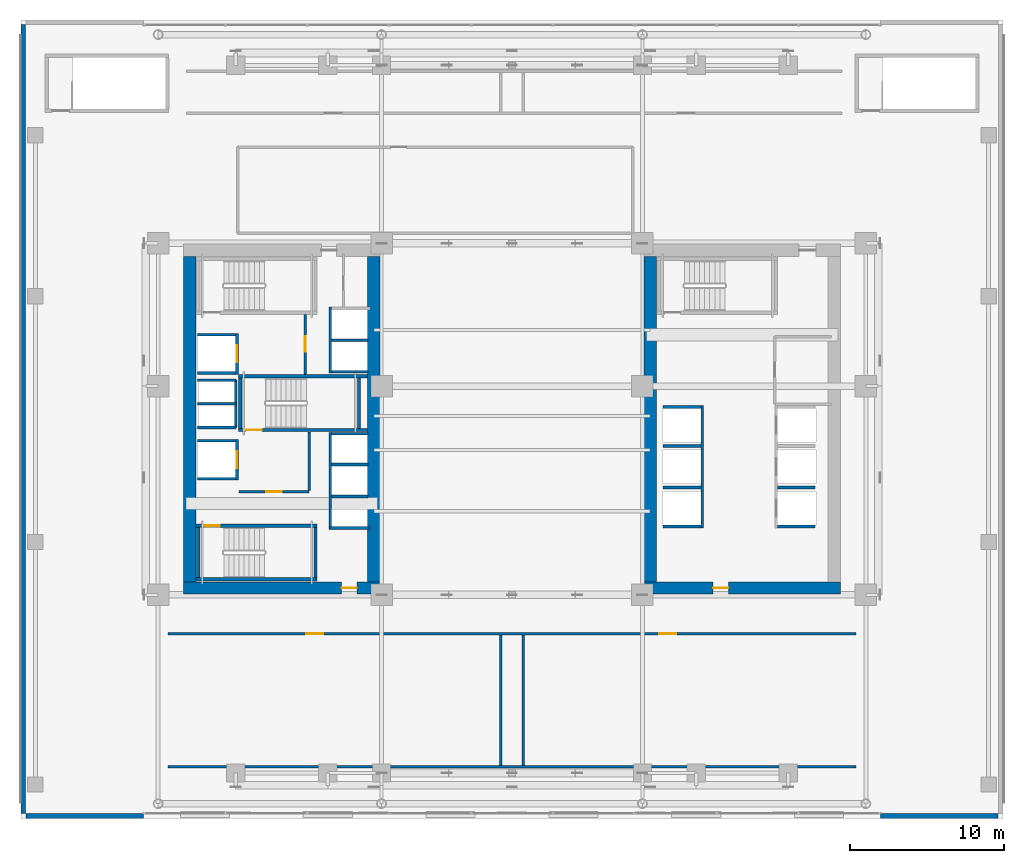
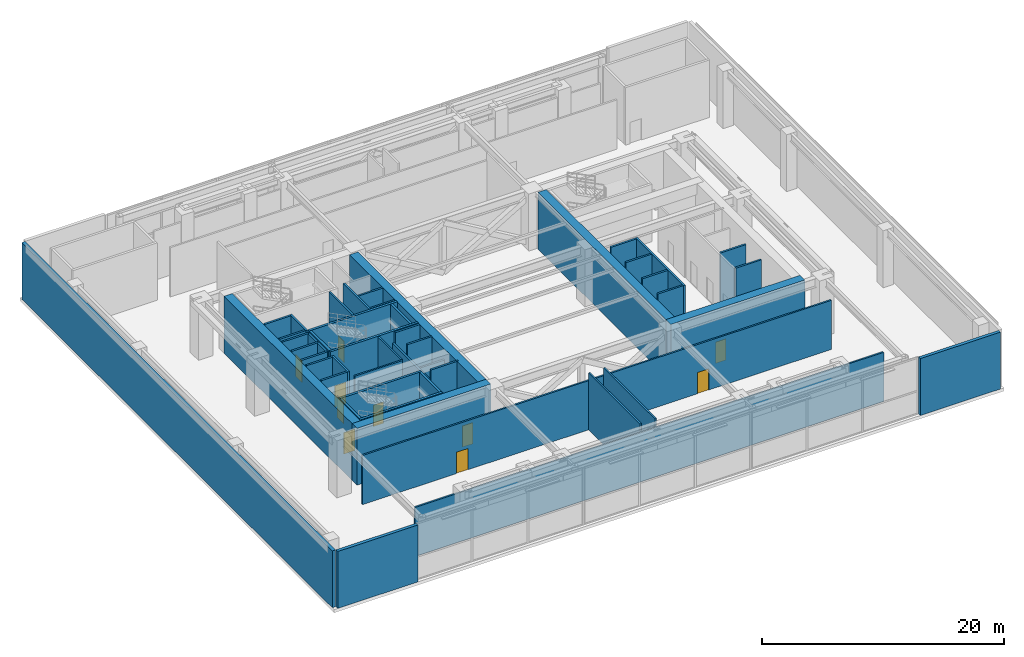
# One storey, part 21 of 29: 48 walls, 10 doors, 10 openings.
"""IFC4 building model written with IfcOpenShell, lengths in metres."""

from ifc_helpers import new_model, si_unit, direction, frame, frame_2d, origin, place, context, subcontext, project, spatial, rectangle, extrude, source, transform, mapped, material, layer, layer_set, type_object, element, fill, save


model = new_model("IFC4")

# Units and contexts
model_context = context("Model", 3, precision=1e-05, world=origin(), true_north=direction((0.0, 1.0)))
body_context = subcontext(model_context, "Body", "Model", "MODEL_VIEW")
ifc_project = project(units=[si_unit("LENGTHUNIT", "METRE"), si_unit("AREAUNIT", "SQUARE_METRE"), si_unit("VOLUMEUNIT", "CUBIC_METRE"), si_unit("PLANEANGLEUNIT", "RADIAN"), si_unit("MASSUNIT", "GRAM", prefix="KILO")], contexts=[model_context])

# Site, building, storey
site_placement = place(None, origin())
site = spatial("IfcSite", under=ifc_project, at=site_placement, CompositionType="ELEMENT")
building_placement = place(site_placement, origin())
building = spatial("IfcBuilding", under=site, at=building_placement, Name="Ocotamira Hotel", CompositionType="ELEMENT")
storey_placement = place(building_placement, frame((0.0, 0.0, 28.800048828125)))
storey = spatial("IfcBuildingStorey", under=building, at=storey_placement, Name="L06", CompositionType="ELEMENT", Elevation=28.800048828125)

# Wall, opening, door
ifc_material_1 = material(Name="Concrete C60/75", Category="concrete")
ifc_layer_1 = layer(ifc_material_1, 0.800048828125)
ifc_layer_set_1 = layer_set([ifc_layer_1], Name="Concrete C60/75")
wall_type_1 = type_object("IfcWallType", Name="WL-CORE-800", PredefinedType="SHEAR", material=ifc_layer_set_1)
wall_1_placement = place(storey_placement, frame((10.60009765625, 15.0, 0.0), z_axis=(0.0, 0.0, 1.0), x_axis=(1.0, 0.0, 0.0)))
wall_1 = element("IfcWall", 1, at=wall_1_placement, inside=storey, type_object=wall_type_1, Name="L06 Shear Core Wall WCORE-S", PredefinedType="SHEAR", context=body_context, shape_type="SweptSolid", body=[
    extrude(rectangle(XDim=12.7998046875, YDim=0.800048828125, at=frame_2d((6.39990234375, 0.0))), origin(), (0.0, 0.0, 1.0), 5.75),
])
opening_1_placement = place(wall_1_placement, frame((10.300048828125, 0.0, 0.0)))
opening_1 = element("IfcOpeningElement", 2, at=opening_1_placement, cuts=wall_1, Name="Opening D-FR2", PredefinedType="OPENING", context=body_context, shape_type="SweptSolid", body=[
    extrude(rectangle(XDim=1.0, YDim=2.14990234375, at=frame_2d((0.5, 1.074951171875))), frame((0.0, 0.41015625, 0.0), z_axis=(0.0, -1.0, 0.0), x_axis=(1.0, 0.0, 0.0)), (0.0, 0.0, 1.0), 0.820068359375),
])
ifc_material_2 = material(Name="Fire-rated acoustic timber-veneer door", Category="wood")
door_type_1 = type_object("IfcDoorType", Name="DR-FIRE-1000", OperationType="NOTDEFINED", PredefinedType="DOOR", material=ifc_material_2)
shared_shape_1 = source(origin(), body_context, "Body", "SweptSolid", [
    extrude(rectangle(XDim=1.0, YDim=2.14990234375, at=frame_2d((0.5, 1.074951171875))), frame((0.0, 0.02490234375, 0.0), z_axis=(0.0, -1.0, 0.0), x_axis=(1.0, 0.0, 0.0)), (0.0, 0.0, 1.0), 0.050048828125),
])
door_1_placement = place(opening_1_placement, origin())
door_1 = element("IfcDoor", 3, at=door_1_placement, inside=storey, type_object=door_type_1, Name="L06 Door ID-L06-WLOB-S-D [ID-L06-WLOB-S-D]", OperationType="SINGLE_SWING_LEFT", OverallHeight=2.14990234375, OverallWidth=1.0, PredefinedType="DOOR", context=body_context, shape_type="MappedRepresentation", body=[
    mapped(shared_shape_1, transform((0.0, 0.0, 0.0), scale=1.0)),
])
fill(opening_1, door_1)

# Walls
for number, where, z_axis, x_axis, name in (
    (4, (11.0, 15.39990234375, 0.0), (0.0, 0.0, 1.0), (0.0, 1.0, 0.0), "L06 Shear Core Wall WCORE-W"),
    (5, (23.0, 15.39990234375, 0.0), (0.0, 0.0, 1.0), (0.0, 1.0, 0.0), "L06 Shear Core Wall WCORE-E"),
):
    element("IfcWall", number, at=place(storey_placement, frame(where, z_axis=z_axis, x_axis=x_axis)), inside=storey, type_object=wall_type_1, Name=name, PredefinedType="SHEAR", context=body_context, shape_type="SweptSolid", body=[
        extrude(rectangle(XDim=21.2001953125, YDim=0.800048828125, at=frame_2d((10.60009765625, 0.0))), origin(), (0.0, 0.0, 1.0), 5.75),
    ])

# Wall, opening, door
wall_2_placement = place(storey_placement, frame((40.60009765625, 15.0, 0.0), z_axis=(0.0, 0.0, 1.0), x_axis=(1.0, 0.0, 0.0)))
wall_2 = element("IfcWall", 6, at=wall_2_placement, inside=storey, type_object=wall_type_1, Name="L06 Shear Core Wall ECORE-S", PredefinedType="SHEAR", context=body_context, shape_type="SweptSolid", body=[
    extrude(rectangle(XDim=12.7998046875, YDim=0.800048828125, at=frame_2d((6.39990234375, 0.0))), origin(), (0.0, 0.0, 1.0), 5.75),
])
opening_2_placement = place(wall_2_placement, frame((4.5, 0.0, 0.0)))
opening_2 = element("IfcOpeningElement", 7, at=opening_2_placement, cuts=wall_2, Name="Opening D-FR2", PredefinedType="OPENING", context=body_context, shape_type="SweptSolid", body=[
    extrude(rectangle(XDim=1.0, YDim=2.14990234375, at=frame_2d((0.5, 1.074951171875))), frame((0.0, 0.41015625, 0.0), z_axis=(0.0, -1.0, 0.0), x_axis=(1.0, 0.0, 0.0)), (0.0, 0.0, 1.0), 0.820068359375),
])
door_2_placement = place(opening_2_placement, origin())
door_2 = element("IfcDoor", 8, at=door_2_placement, inside=storey, type_object=door_type_1, Name="L06 Door ID-L06-ELOB-S-D [ID-L06-ELOB-S-D]", OperationType="SINGLE_SWING_RIGHT", OverallHeight=2.14990234375, OverallWidth=1.0, PredefinedType="DOOR", context=body_context, shape_type="MappedRepresentation", body=[
    mapped(shared_shape_1, transform((0.0, 0.0, 0.0), scale=1.0)),
])
fill(opening_2, door_2)

# Walls
wall_3_placement = place(storey_placement, frame((41.0, 15.39990234375, 0.0), z_axis=(0.0, 0.0, 1.0), x_axis=(0.0, 1.0, 0.0)))
element("IfcWall", 9, at=wall_3_placement, inside=storey, type_object=wall_type_1, Name="L06 Shear Core Wall ECORE-W", PredefinedType="SHEAR", context=body_context, shape_type="SweptSolid", body=[
    extrude(rectangle(XDim=21.2001953125, YDim=0.800048828125, at=frame_2d((10.60009765625, 0.0))), origin(), (0.0, 0.0, 1.0), 5.75),
])
ifc_material_3 = material(Name="Travertine-clad precast concrete C45/55", Category="masonry")
ifc_layer_2 = layer(ifc_material_3, 0.300048828125)
ifc_layer_set_2 = layer_set([ifc_layer_2], Name="Travertine-clad precast concrete C45/55")
wall_type_2 = type_object("IfcWallType", Name="WL-EXT-POD-300", PredefinedType="SOLIDWALL", material=ifc_layer_set_2)
wall_4_placement = place(storey_placement, frame((0.14990234375, 0.300048828125, 0.0), z_axis=(0.0, 0.0, 1.0), x_axis=(0.0, 1.0, 0.0)))
element("IfcWall", 10, at=wall_4_placement, inside=storey, type_object=wall_type_2, Name="L06 West Podium Travertine Wall", PredefinedType="SOLIDWALL", context=body_context, shape_type="SweptSolid", body=[
    extrude(rectangle(XDim=51.39990234375, YDim=0.300048828125, at=frame_2d((25.699951171875, 0.0))), origin(), (0.0, 0.0, 1.0), 5.75),
])
for number, where, z_axis, x_axis, name in (
    (11, (0.35009765625, 0.14990234375, 0.0), (0.0, 0.0, 1.0), (1.0, 0.0, 0.0), "L06 Podium Perimeter Wall S1"),
    (12, (56.0, 0.14990234375, 0.0), (0.0, 0.0, 1.0), (1.0, 0.0, 0.0), "L06 Podium Perimeter Wall S2"),
):
    element("IfcWall", number, at=place(storey_placement, frame(where, z_axis=z_axis, x_axis=x_axis)), inside=storey, type_object=wall_type_2, Name=name, PredefinedType="SOLIDWALL", context=body_context, shape_type="SweptSolid", body=[
        extrude(rectangle(XDim=7.64990234375, YDim=0.300048828125, at=frame_2d((3.824951171875, 0.0))), origin(), (0.0, 0.0, 1.0), 5.75),
    ])

# Wall, opening, door
ifc_material_4 = material(Name="Acoustic double-layer fire gypsum board partition", Category="gypsum")
ifc_layer_3 = layer(ifc_material_4, 0.159912109375)
ifc_layer_set_3 = layer_set([ifc_layer_3], Name="Acoustic double-layer fire gypsum board partition")
wall_type_3 = type_object("IfcWallType", Name="WL-FIRE-160", PredefinedType="PARTITIONING", material=ifc_layer_set_3)
wall_5_placement = place(storey_placement, frame((14.199951171875, 21.27001953125, 0.0), z_axis=(0.0, 0.0, 1.0), x_axis=(1.0, 0.0, 0.0)))
wall_5 = element("IfcWall", 13, at=wall_5_placement, inside=storey, type_object=wall_type_3, Name="L06 Interior Wall PW-L06-FSAE1-S", PredefinedType="PARTITIONING", context=body_context, shape_type="SweptSolid", body=[
    extrude(rectangle(XDim=4.580078125, YDim=0.159912109375, at=frame_2d((2.2900390625, 0.0))), origin(), (0.0, 0.0, 1.0), 5.75),
])
opening_3_placement = place(wall_5_placement, frame((1.800048828125, 0.0, 0.0)))
opening_3 = element("IfcOpeningElement", 14, at=opening_3_placement, cuts=wall_5, Name="Opening D-FR2", PredefinedType="OPENING", context=body_context, shape_type="SweptSolid", body=[
    extrude(rectangle(XDim=1.0, YDim=2.14990234375, at=frame_2d((0.5, 1.074951171875))), frame((0.0, 0.08984375, 0.0), z_axis=(0.0, -1.0, 0.0), x_axis=(1.0, 0.0, 0.0)), (0.0, 0.0, 1.0), 0.179931640625),
])
door_3_placement = place(opening_3_placement, origin())
door_3 = element("IfcDoor", 15, at=door_3_placement, inside=storey, type_object=door_type_1, Name="L06 Door ID-L06-FSAE1-D [ID-L06-FSAE1-D]", OperationType="SINGLE_SWING_LEFT", OverallHeight=2.14990234375, OverallWidth=1.0, PredefinedType="DOOR", context=body_context, shape_type="MappedRepresentation", body=[
    mapped(shared_shape_1, transform((0.0, 0.0, 0.0), scale=1.0)),
])
fill(opening_3, door_3)

# Wall
wall_6_placement = place(storey_placement, frame((18.780029296875, 21.35009765625, 0.0), z_axis=(0.0, 0.0, 1.0), x_axis=(0.0, 1.0, 0.0)))
element("IfcWall", 16, at=wall_6_placement, inside=storey, type_object=wall_type_3, Name="L06 Interior Wall PW-L06-FSAE1-E", PredefinedType="PARTITIONING", context=body_context, shape_type="SweptSolid", body=[
    extrude(rectangle(XDim=3.809814453125, YDim=0.159912109375, at=frame_2d((1.90478515625, 0.0))), origin(), (0.0, 0.0, 1.0), 5.75),
])

# Wall, opening, door
wall_7_placement = place(storey_placement, frame((18.530029296875, 28.89990234375, 0.0), z_axis=(0.0, 0.0, 1.0), x_axis=(0.0, 1.0, 0.0)))
wall_7 = element("IfcWall", 17, at=wall_7_placement, inside=storey, type_object=wall_type_3, Name="L06 Interior Wall PW-L06-FSAE2-E", PredefinedType="PARTITIONING", context=body_context, shape_type="SweptSolid", body=[
    extrude(rectangle(XDim=3.900146484375, YDim=0.159912109375, at=frame_2d((1.9501953125, 0.0))), origin(), (0.0, 0.0, 1.0), 5.75),
])
opening_4_placement = place(wall_7_placement, frame((1.5, 0.0, 0.0)))
opening_4 = element("IfcOpeningElement", 18, at=opening_4_placement, cuts=wall_7, Name="Opening D-FR2", PredefinedType="OPENING", context=body_context, shape_type="SweptSolid", body=[
    extrude(rectangle(XDim=1.0, YDim=2.14990234375, at=frame_2d((0.5, 1.074951171875))), frame((0.0, 0.08984375, 0.0), z_axis=(0.0, -1.0, 0.0), x_axis=(1.0, 0.0, 0.0)), (0.0, 0.0, 1.0), 0.179931640625),
])
door_4_placement = place(opening_4_placement, origin())
door_4 = element("IfcDoor", 19, at=door_4_placement, inside=storey, type_object=door_type_1, Name="L06 Door ID-L06-FSAE2-D [ID-L06-FSAE2-D]", OperationType="SINGLE_SWING_RIGHT", OverallHeight=2.14990234375, OverallWidth=1.0, PredefinedType="DOOR", context=body_context, shape_type="MappedRepresentation", body=[
    mapped(shared_shape_1, transform((0.0, 0.0, 0.0), scale=1.0)),
])
fill(opening_4, door_4)

# Walls
wall_8_placement = place(storey_placement, frame((9.60009765625, 3.35009765625, 0.0), z_axis=(0.0, 0.0, 1.0), x_axis=(1.0, 0.0, 0.0)))
element("IfcWall", 20, at=wall_8_placement, inside=storey, type_object=wall_type_3, Name="L06 Interior Wall PW-L06-L06-STRS-WALL", PredefinedType="PARTITIONING", context=body_context, shape_type="SweptSolid", body=[
    extrude(rectangle(XDim=44.7998046875, YDim=0.159912109375, at=frame_2d((22.39990234375, 0.0))), origin(), (0.0, 0.0, 1.0), 4.970947265625),
])
for number, where, z_axis, x_axis, name in (
    (21, (31.280029296875, 3.449951171875, 0.0), (0.0, 0.0, 1.0), (0.0, 1.0, 0.0), "L06 Interior Wall PW-L06-L06-SDIV1"),
    (22, (32.719970703125, 3.449951171875, 0.0), (0.0, 0.0, 1.0), (0.0, 1.0, 0.0), "L06 Interior Wall PW-L06-L06-SDIV2"),
):
    element("IfcWall", number, at=place(storey_placement, frame(where, z_axis=z_axis, x_axis=x_axis)), inside=storey, type_object=wall_type_3, Name=name, PredefinedType="PARTITIONING", context=body_context, shape_type="SweptSolid", body=[
        extrude(rectangle(XDim=8.5, YDim=0.159912109375, at=frame_2d((4.25, 0.0))), origin(), (0.0, 0.0, 1.0), 5.75),
    ])

# Wall, openings, doors
wall_9_placement = place(storey_placement, frame((9.60009765625, 12.02001953125, 0.0), z_axis=(0.0, 0.0, 1.0), x_axis=(1.0, 0.0, 0.0)))
wall_9 = element("IfcWall", 23, at=wall_9_placement, inside=storey, type_object=wall_type_3, Name="L06 Interior Wall PW-L06-L06-SWALL", PredefinedType="PARTITIONING", context=body_context, shape_type="SweptSolid", body=[
    extrude(rectangle(XDim=44.7998046875, YDim=0.159912109375, at=frame_2d((22.39990234375, 0.0))), origin(), (0.0, 0.0, 1.0), 4.970947265625),
])
opening_5_placement = place(wall_9_placement, frame((9.0, 0.0, 0.0)))
opening_5 = element("IfcOpeningElement", 24, at=opening_5_placement, cuts=wall_9, Name="Opening D-FR1", PredefinedType="OPENING", context=body_context, shape_type="SweptSolid", body=[
    extrude(rectangle(XDim=1.10009765625, YDim=2.14990234375, at=frame_2d((0.550048828125, 1.074951171875))), frame((0.0, 0.08984375, 0.0), z_axis=(0.0, -1.0, 0.0), x_axis=(1.0, 0.0, 0.0)), (0.0, 0.0, 1.0), 0.179931640625),
])
opening_6_placement = place(wall_9_placement, frame((32.0, 0.0, 0.0)))
opening_6 = element("IfcOpeningElement", 25, at=opening_6_placement, cuts=wall_9, Name="Opening D-FR1", PredefinedType="OPENING", context=body_context, shape_type="SweptSolid", body=[
    extrude(rectangle(XDim=1.10009765625, YDim=2.14990234375, at=frame_2d((0.550048828125, 1.074951171875))), frame((0.0, 0.08984375, 0.0), z_axis=(0.0, -1.0, 0.0), x_axis=(1.0, 0.0, 0.0)), (0.0, 0.0, 1.0), 0.179931640625),
])
door_type_2 = type_object("IfcDoorType", Name="DR-FIRE-1100", OperationType="NOTDEFINED", PredefinedType="DOOR", material=ifc_material_2)
shared_shape_2 = source(origin(), body_context, "Body", "SweptSolid", [
    extrude(rectangle(XDim=1.10009765625, YDim=2.14990234375, at=frame_2d((0.550048828125, 1.074951171875))), frame((0.0, 0.02490234375, 0.0), z_axis=(0.0, -1.0, 0.0), x_axis=(1.0, 0.0, 0.0)), (0.0, 0.0, 1.0), 0.050048828125),
])
door_5_placement = place(opening_5_placement, origin())
door_5 = element("IfcDoor", 26, at=door_5_placement, inside=storey, type_object=door_type_2, Name="L06 Door ID-L06-L06-CHD [ID-L06-L06-CHD]", OperationType="SINGLE_SWING_LEFT", OverallHeight=2.14990234375, OverallWidth=1.10009765625, PredefinedType="DOOR", context=body_context, shape_type="MappedRepresentation", body=[
    mapped(shared_shape_2, transform((0.0, 0.0, 0.0), scale=1.0)),
])
fill(opening_5, door_5)
door_6_placement = place(opening_6_placement, origin())
door_6 = element("IfcDoor", 27, at=door_6_placement, inside=storey, type_object=door_type_2, Name="L06 Door ID-L06-L06-AHUD [ID-L06-L06-AHUD]", OperationType="SINGLE_SWING_RIGHT", OverallHeight=2.14990234375, OverallWidth=1.10009765625, PredefinedType="DOOR", context=body_context, shape_type="MappedRepresentation", body=[
    mapped(shared_shape_2, transform((0.0, 0.0, 0.0), scale=1.0)),
])
fill(opening_6, door_6)

# Walls
ifc_material_5 = material(Name="Fire-rated gypsum shaftliner board assembly", Category="gypsum")
ifc_layer_4 = layer(ifc_material_5, 0.179931640625)
ifc_layer_set_4 = layer_set([ifc_layer_4], Name="Fire-rated gypsum shaftliner board assembly")
wall_type_4 = type_object("IfcWallType", Name="WL-SHAFT-180", PredefinedType="SOLIDWALL", material=ifc_layer_set_4)
for number, where, z_axis, x_axis, name in (
    (28, (49.300048828125, 19.010009765625, 0.0), (0.0, 0.0, 1.0), (1.0, 0.0, 0.0), "L06 Interior Wall PW-L06-LFW-BANK-low-S"),
    (29, (49.300048828125, 21.550048828125, 0.0), (0.0, 0.0, 1.0), (1.0, 0.0, 0.0), "L06 Interior Wall PW-L06-LFW-DIV-LF-P1"),
):
    element("IfcWall", number, at=place(storey_placement, frame(where, z_axis=z_axis, x_axis=x_axis)), inside=storey, type_object=wall_type_4, Name=name, PredefinedType="SOLIDWALL", context=body_context, shape_type="SweptSolid", body=[
        extrude(rectangle(XDim=2.449951171875, YDim=0.179931640625, at=frame_2d((1.22509765625, 0.0))), origin(), (0.0, 0.0, 1.0), 5.75),
    ])
wall_10_placement = place(storey_placement, frame((44.389892578125, 18.919921875, 0.0), z_axis=(0.0, 0.0, 1.0), x_axis=(0.0, 1.0, 0.0)))
element("IfcWall", 30, at=wall_10_placement, inside=storey, type_object=wall_type_4, Name="L06 Interior Wall PW-L06-LFW-BANK-mid-F", PredefinedType="SOLIDWALL", context=body_context, shape_type="SweptSolid", body=[
    extrude(rectangle(XDim=7.9599609375, YDim=0.179931640625, at=frame_2d((3.97998046875, 0.0))), origin(), (0.0, 0.0, 1.0), 5.75),
])
for number, where, z_axis, x_axis, name in (
    (31, (41.85009765625, 19.010009765625, 0.0), (0.0, 0.0, 1.0), (1.0, 0.0, 0.0), "L06 Interior Wall PW-L06-LFW-BANK-mid-S"),
    (32, (41.85009765625, 26.7900390625, 0.0), (0.0, 0.0, 1.0), (1.0, 0.0, 0.0), "L06 Interior Wall PW-L06-LFW-BANK-mid-N"),
    (33, (41.85009765625, 21.550048828125, 0.0), (0.0, 0.0, 1.0), (1.0, 0.0, 0.0), "L06 Interior Wall PW-L06-LFW-DIV-LF-P4"),
    (34, (41.85009765625, 24.25, 0.0), (0.0, 0.0, 1.0), (1.0, 0.0, 0.0), "L06 Interior Wall PW-L06-LFW-DIV-LF-P5"),
):
    element("IfcWall", number, at=place(storey_placement, frame(where, z_axis=z_axis, x_axis=x_axis)), inside=storey, type_object=wall_type_4, Name=name, PredefinedType="SOLIDWALL", context=body_context, shape_type="SweptSolid", body=[
        extrude(rectangle(XDim=2.449951171875, YDim=0.179931640625, at=frame_2d((1.22509765625, 0.0))), origin(), (0.0, 0.0, 1.0), 5.75),
    ])
wall_11_placement = place(storey_placement, frame((20.159912109375, 18.820068359375, 0.0), z_axis=(0.0, 0.0, 1.0), x_axis=(0.0, 1.0, 0.0)))
element("IfcWall", 35, at=wall_11_placement, inside=storey, type_object=wall_type_4, Name="L06 Interior Wall PW-L06-LFW-BANK-high-F", PredefinedType="SOLIDWALL", context=body_context, shape_type="SweptSolid", body=[
    extrude(rectangle(XDim=6.31982421875, YDim=0.179931640625, at=frame_2d((3.159912109375, 0.0))), origin(), (0.0, 0.0, 1.0), 4.64990234375),
])
wall_12_placement = place(storey_placement, frame((20.1201171875, 18.909912109375, 0.0), z_axis=(0.0, 0.0, 1.0), x_axis=(1.0, 0.0, 0.0)))
element("IfcWall", 36, at=wall_12_placement, inside=storey, type_object=wall_type_4, Name="L06 Interior Wall PW-L06-LFW-BANK-high-S", PredefinedType="SOLIDWALL", context=body_context, shape_type="SweptSolid", body=[
    extrude(rectangle(XDim=2.6298828125, YDim=0.179931640625, at=frame_2d((1.31494140625, 0.0))), origin(), (0.0, 0.0, 1.0), 5.75),
])
wall_13_placement = place(storey_placement, frame((20.25, 25.050048828125, 0.0), z_axis=(0.0, 0.0, 1.0), x_axis=(1.0, 0.0, 0.0)))
element("IfcWall", 37, at=wall_13_placement, inside=storey, type_object=wall_type_4, Name="L06 Interior Wall PW-L06-LFW-BANK-high-N", PredefinedType="SOLIDWALL", context=body_context, shape_type="SweptSolid", body=[
    extrude(rectangle(XDim=2.360107421875, YDim=0.179931640625, at=frame_2d((1.18017578125, 0.0))), origin(), (0.0, 0.0, 1.0), 5.75),
])
wall_14_placement = place(storey_placement, frame((20.25, 20.965087890625, 0.0), z_axis=(0.0, 0.0, 1.0), x_axis=(1.0, 0.0, 0.0)))
element("IfcWall", 38, at=wall_14_placement, inside=storey, type_object=wall_type_4, Name="L06 Interior Wall PW-L06-LFW-DIV-LF-P7", PredefinedType="SOLIDWALL", context=body_context, shape_type="SweptSolid", body=[
    extrude(rectangle(XDim=2.360107421875, YDim=0.179931640625, at=frame_2d((1.18017578125, 0.0))), origin(), (0.0, 0.0, 1.0), 4.64990234375),
])
wall_15_placement = place(storey_placement, frame((20.25, 23.044921875, 0.0), z_axis=(0.0, 0.0, 1.0), x_axis=(1.0, 0.0, 0.0)))
element("IfcWall", 39, at=wall_15_placement, inside=storey, type_object=wall_type_4, Name="L06 Interior Wall PW-L06-LFW-DIV-LF-P8", PredefinedType="SOLIDWALL", context=body_context, shape_type="SweptSolid", body=[
    extrude(rectangle(XDim=2.360107421875, YDim=0.179931640625, at=frame_2d((1.18017578125, 0.0))), origin(), (0.0, 0.0, 1.0), 5.75),
])
wall_16_placement = place(storey_placement, frame((20.159912109375, 29.0, 0.0), z_axis=(0.0, 0.0, 1.0), x_axis=(0.0, 1.0, 0.0)))
element("IfcWall", 40, at=wall_16_placement, inside=storey, type_object=wall_type_4, Name="L06 Interior Wall PW-L06-LFW-BANK-obs-F", PredefinedType="SOLIDWALL", context=body_context, shape_type="SweptSolid", body=[
    extrude(rectangle(XDim=4.2900390625, YDim=0.179931640625, at=frame_2d((2.14501953125, 0.0))), origin(), (0.0, 0.0, 1.0), 5.75),
])
for number, where, z_axis, x_axis, name in (
    (41, (20.25, 29.090087890625, 0.0), (0.0, 0.0, 1.0), (1.0, 0.0, 0.0), "L06 Interior Wall PW-L06-LFW-BANK-obs-S"),
    (42, (20.25, 31.14501953125, 0.0), (0.0, 0.0, 1.0), (1.0, 0.0, 0.0), "L06 Interior Wall PW-L06-LFW-DIV-LF-OBS1"),
):
    element("IfcWall", number, at=place(storey_placement, frame(where, z_axis=z_axis, x_axis=x_axis)), inside=storey, type_object=wall_type_4, Name=name, PredefinedType="SOLIDWALL", context=body_context, shape_type="SweptSolid", body=[
        extrude(rectangle(XDim=2.360107421875, YDim=0.179931640625, at=frame_2d((1.18017578125, 0.0))), origin(), (0.0, 0.0, 1.0), 5.75),
    ])
for number, where, z_axis, x_axis, name in (
    (43, (11.5, 22.110107421875, 0.0), (0.0, 0.0, 1.0), (1.0, 0.0, 0.0), "L06 Interior Wall PW-L06-LFW-LF-FSAE1-S"),
    (44, (11.5, 24.590087890625, 0.0), (0.0, 0.0, 1.0), (1.0, 0.0, 0.0), "L06 Interior Wall PW-L06-LFW-LF-FSAE1-N"),
):
    element("IfcWall", number, at=place(storey_placement, frame(where, z_axis=z_axis, x_axis=x_axis)), inside=storey, type_object=wall_type_4, Name=name, PredefinedType="SOLIDWALL", context=body_context, shape_type="SweptSolid", body=[
        extrude(rectangle(XDim=2.5, YDim=0.179931640625, at=frame_2d((1.25, 0.0))), origin(), (0.0, 0.0, 1.0), 5.75),
    ])

# Wall, opening, door
wall_17_placement = place(storey_placement, frame((14.090087890625, 22.02001953125, 0.0), z_axis=(0.0, 0.0, 1.0), x_axis=(0.0, 1.0, 0.0)))
wall_17 = element("IfcWall", 45, at=wall_17_placement, inside=storey, type_object=wall_type_4, Name="L06 Interior Wall PW-L06-LFW-LF-FSAE1-E", PredefinedType="SOLIDWALL", context=body_context, shape_type="SweptSolid", body=[
    extrude(rectangle(XDim=2.659912109375, YDim=0.179931640625, at=frame_2d((1.330078125, 0.0))), origin(), (0.0, 0.0, 1.0), 5.75),
])
opening_7_placement = place(wall_17_placement, frame((0.780029296875, 0.0, 0.0)))
opening_7 = element("IfcOpeningElement", 46, at=opening_7_placement, cuts=wall_17, Name="Opening LD-LF-FSAE1", PredefinedType="OPENING", context=body_context, shape_type="SweptSolid", body=[
    extrude(rectangle(XDim=1.10009765625, YDim=2.199951171875, at=frame_2d((0.550048828125, 1.10009765625))), frame((0.0, 0.10009765625, 0.0), z_axis=(0.0, -1.0, 0.0), x_axis=(1.0, 0.0, 0.0)), (0.0, 0.0, 1.0), 0.199951171875),
])
ifc_material_6 = material(Name="Brushed pale-metal stainless elevator landing door", Category="steel")
door_type_3 = type_object("IfcDoorType", Name="DR-LIFT-1100", OperationType="NOTDEFINED", PredefinedType="DOOR", material=ifc_material_6)
shared_shape_3 = source(origin(), body_context, "Body", "SweptSolid", [
    extrude(rectangle(XDim=1.10009765625, YDim=2.199951171875, at=frame_2d((0.550048828125, 1.10009765625))), frame((0.0, 0.02490234375, 0.0), z_axis=(0.0, -1.0, 0.0), x_axis=(1.0, 0.0, 0.0)), (0.0, 0.0, 1.0), 0.050048828125),
])
door_7_placement = place(opening_7_placement, origin())
door_7 = element("IfcDoor", 47, at=door_7_placement, inside=storey, type_object=door_type_3, Name="L06 Landing Door LD-LF-FSAE1 [ID-L06-LD-LF-FSAE1]", OperationType="DOUBLE_DOOR_SLIDING", OverallHeight=2.199951171875, OverallWidth=1.10009765625, PredefinedType="DOOR", context=body_context, shape_type="MappedRepresentation", body=[
    mapped(shared_shape_3, transform((0.0, 0.0, 0.0), scale=1.0)),
])
fill(opening_7, door_7)

# Walls
for number, where, z_axis, x_axis, name in (
    (48, (11.5, 29.010009765625, 0.0), (0.0, 0.0, 1.0), (1.0, 0.0, 0.0), "L06 Interior Wall PW-L06-LFW-LF-FSAE2-S"),
    (49, (11.5, 31.489990234375, 0.0), (0.0, 0.0, 1.0), (1.0, 0.0, 0.0), "L06 Interior Wall PW-L06-LFW-LF-FSAE2-N"),
):
    element("IfcWall", number, at=place(storey_placement, frame(where, z_axis=z_axis, x_axis=x_axis)), inside=storey, type_object=wall_type_4, Name=name, PredefinedType="SOLIDWALL", context=body_context, shape_type="SweptSolid", body=[
        extrude(rectangle(XDim=2.5, YDim=0.179931640625, at=frame_2d((1.25, 0.0))), origin(), (0.0, 0.0, 1.0), 5.75),
    ])

# Wall, opening, door
wall_18_placement = place(storey_placement, frame((14.090087890625, 28.919921875, 0.0), z_axis=(0.0, 0.0, 1.0), x_axis=(0.0, 1.0, 0.0)))
wall_18 = element("IfcWall", 50, at=wall_18_placement, inside=storey, type_object=wall_type_4, Name="L06 Interior Wall PW-L06-LFW-LF-FSAE2-E", PredefinedType="SOLIDWALL", context=body_context, shape_type="SweptSolid", body=[
    extrude(rectangle(XDim=2.66015625, YDim=0.179931640625, at=frame_2d((1.330078125, 0.0))), origin(), (0.0, 0.0, 1.0), 5.75),
])
opening_8_placement = place(wall_18_placement, frame((0.780029296875, 0.0, 0.0)))
opening_8 = element("IfcOpeningElement", 51, at=opening_8_placement, cuts=wall_18, Name="Opening LD-LF-FSAE2", PredefinedType="OPENING", context=body_context, shape_type="SweptSolid", body=[
    extrude(rectangle(XDim=1.10009765625, YDim=2.199951171875, at=frame_2d((0.550048828125, 1.10009765625))), frame((0.0, 0.10009765625, 0.0), z_axis=(0.0, -1.0, 0.0), x_axis=(1.0, 0.0, 0.0)), (0.0, 0.0, 1.0), 0.199951171875),
])
door_8_placement = place(opening_8_placement, origin())
door_8 = element("IfcDoor", 52, at=door_8_placement, inside=storey, type_object=door_type_3, Name="L06 Landing Door LD-LF-FSAE2 [ID-L06-LD-LF-FSAE2]", OperationType="DOUBLE_DOOR_SLIDING", OverallHeight=2.199951171875, OverallWidth=1.10009765625, PredefinedType="DOOR", context=body_context, shape_type="MappedRepresentation", body=[
    mapped(shared_shape_3, transform((0.0, 0.0, 0.0), scale=1.0)),
])
fill(opening_8, door_8)

# Walls
for number, where, z_axis, x_axis, name in (
    (53, (11.5, 25.4599609375, 0.0), (0.0, 0.0, 1.0), (1.0, 0.0, 0.0), "L06 Interior Wall PW-L06-RSW-S"),
    (54, (11.5, 27.0, 0.0), (0.0, 0.0, 1.0), (1.0, 0.0, 0.0), "L06 Interior Wall PW-L06-RSW-MID"),
    (55, (11.5, 28.5400390625, 0.0), (0.0, 0.0, 1.0), (1.0, 0.0, 0.0), "L06 Interior Wall PW-L06-RSW-N"),
):
    element("IfcWall", number, at=place(storey_placement, frame(where, z_axis=z_axis, x_axis=x_axis)), inside=storey, type_object=wall_type_4, Name=name, PredefinedType="SOLIDWALL", context=body_context, shape_type="SweptSolid", body=[
        extrude(rectangle(XDim=2.510009765625, YDim=0.179931640625, at=frame_2d((1.2548828125, 0.0))), origin(), (0.0, 0.0, 1.0), 5.75),
    ])
wall_19_placement = place(storey_placement, frame((14.010009765625, 25.4599609375, 0.0), z_axis=(0.0, 0.0, 1.0), x_axis=(0.0, 1.0, 0.0)))
element("IfcWall", 56, at=wall_19_placement, inside=storey, type_object=wall_type_4, Name="L06 Interior Wall PW-L06-RSW-E", PredefinedType="SOLIDWALL", context=body_context, shape_type="SweptSolid", body=[
    extrude(rectangle(XDim=3.080078125, YDim=0.179931640625, at=frame_2d((1.5400390625, 0.0))), origin(), (0.0, 0.0, 1.0), 5.75),
])
ifc_material_7 = material(Name="Concrete C50/60", Category="concrete")
ifc_layer_5 = layer(ifc_material_7, 0.219970703125)
ifc_layer_set_5 = layer_set([ifc_layer_5], Name="Concrete C50/60")
wall_type_5 = type_object("IfcWallType", Name="WL-STAIR-220", PredefinedType="SHEAR", material=ifc_layer_set_5)
wall_20_placement = place(storey_placement, frame((11.39990234375, 15.56005859375, 0.0), z_axis=(0.0, 0.0, 1.0), x_axis=(1.0, 0.0, 0.0)))
element("IfcWall", 57, at=wall_20_placement, inside=storey, type_object=wall_type_5, Name="L06 Stair Shaft Structural Wall ST-1-S", PredefinedType="SHEAR", context=body_context, shape_type="SweptSolid", body=[
    extrude(rectangle(XDim=7.91015625, YDim=0.219970703125, at=frame_2d((3.955078125, 0.0))), origin(), (0.0, 0.0, 1.0), 5.800048828125),
])

# Wall, opening, door
wall_21_placement = place(storey_placement, frame((11.39990234375, 19.06005859375, 0.0), z_axis=(0.0, 0.0, 1.0), x_axis=(1.0, 0.0, 0.0)))
wall_21 = element("IfcWall", 58, at=wall_21_placement, inside=storey, type_object=wall_type_5, Name="L06 Stair Shaft Structural Wall ST-1-N", PredefinedType="SHEAR", context=body_context, shape_type="SweptSolid", body=[
    extrude(rectangle(XDim=7.91015625, YDim=0.219970703125, at=frame_2d((3.955078125, 0.0))), origin(), (0.0, 0.0, 1.0), 5.800048828125),
])
opening_9_placement = place(wall_21_placement, frame((0.52001953125, 0.0, 0.0)))
opening_9 = element("IfcOpeningElement", 59, at=opening_9_placement, cuts=wall_21, Name="Opening D-ST2", PredefinedType="OPENING", context=body_context, shape_type="SweptSolid", body=[
    extrude(rectangle(XDim=1.050048828125, YDim=2.14990234375, at=frame_2d((0.52490234375, 1.074951171875))), frame((0.0, 0.1201171875, 0.0), z_axis=(0.0, -1.0, 0.0), x_axis=(1.0, 0.0, 0.0)), (0.0, 0.0, 1.0), 0.239990234375),
])
ifc_material_8 = material(Name="Insulated painted hollow-metal fire exit door", Category="steel")
door_type_4 = type_object("IfcDoorType", Name="DR-STAIR-1050", OperationType="NOTDEFINED", PredefinedType="DOOR", material=ifc_material_8)
shared_shape_4 = source(origin(), body_context, "Body", "SweptSolid", [
    extrude(rectangle(XDim=1.050048828125, YDim=2.14990234375, at=frame_2d((0.52490234375, 1.074951171875))), frame((0.0, 0.02490234375, 0.0), z_axis=(0.0, -1.0, 0.0), x_axis=(1.0, 0.0, 0.0)), (0.0, 0.0, 1.0), 0.050048828125),
])
door_9_placement = place(opening_9_placement, origin())
door_9 = element("IfcDoor", 60, at=door_9_placement, inside=storey, type_object=door_type_4, Name="L06 Door ID-L06-STD-ST-1 [ID-L06-STD-ST-1]", OperationType="SINGLE_SWING_LEFT", OverallHeight=2.14990234375, OverallWidth=1.050048828125, PredefinedType="DOOR", context=body_context, shape_type="MappedRepresentation", body=[
    mapped(shared_shape_4, transform((0.0, 0.0, 0.0), scale=1.0)),
])
fill(opening_9, door_9)

# Walls
for number, where, z_axis, x_axis, name in (
    (61, (11.56005859375, 15.669921875, 0.0), (0.0, 0.0, 1.0), (0.0, 1.0, 0.0), "L06 Stair Shaft Structural Wall ST-1-W"),
    (62, (19.199951171875, 15.669921875, 0.0), (0.0, 0.0, 1.0), (0.0, 1.0, 0.0), "L06 Stair Shaft Structural Wall ST-1-E"),
):
    element("IfcWall", number, at=place(storey_placement, frame(where, z_axis=z_axis, x_axis=x_axis)), inside=storey, type_object=wall_type_5, Name=name, PredefinedType="SHEAR", context=body_context, shape_type="SweptSolid", body=[
        extrude(rectangle(XDim=3.280029296875, YDim=0.219970703125, at=frame_2d((1.64013671875, 0.0))), origin(), (0.0, 0.0, 1.0), 5.800048828125),
    ])

# Wall, opening, door
wall_22_placement = place(storey_placement, frame((14.179931640625, 25.2900390625, 0.0), z_axis=(0.0, 0.0, 1.0), x_axis=(1.0, 0.0, 0.0)))
wall_22 = element("IfcWall", 63, at=wall_22_placement, inside=storey, type_object=wall_type_5, Name="L06 Stair Shaft Structural Wall ST-3-S", PredefinedType="SHEAR", context=body_context, shape_type="SweptSolid", body=[
    extrude(rectangle(XDim=8.420166015625, YDim=0.219970703125, at=frame_2d((4.2099609375, 0.0))), origin(), (0.0, 0.0, 1.0), 5.800048828125),
])
opening_10_placement = place(wall_22_placement, frame((0.469970703125, 0.0, 0.0)))
opening_10 = element("IfcOpeningElement", 64, at=opening_10_placement, cuts=wall_22, Name="Opening D-ST2", PredefinedType="OPENING", context=body_context, shape_type="SweptSolid", body=[
    extrude(rectangle(XDim=1.050048828125, YDim=2.14990234375, at=frame_2d((0.52490234375, 1.074951171875))), frame((0.0, 0.1201171875, 0.0), z_axis=(0.0, -1.0, 0.0), x_axis=(1.0, 0.0, 0.0)), (0.0, 0.0, 1.0), 0.239990234375),
])
door_10_placement = place(opening_10_placement, origin())
door_10 = element("IfcDoor", 65, at=door_10_placement, inside=storey, type_object=door_type_4, Name="L06 Door ID-L06-STD-ST-3 [ID-L06-STD-ST-3]", OperationType="SINGLE_SWING_LEFT", OverallHeight=2.14990234375, OverallWidth=1.050048828125, PredefinedType="DOOR", context=body_context, shape_type="MappedRepresentation", body=[
    mapped(shared_shape_4, transform((0.0, 0.0, 0.0), scale=1.0)),
])
fill(opening_10, door_10)

# Walls
wall_23_placement = place(storey_placement, frame((14.179931640625, 28.7900390625, 0.0), z_axis=(0.0, 0.0, 1.0), x_axis=(1.0, 0.0, 0.0)))
element("IfcWall", 66, at=wall_23_placement, inside=storey, type_object=wall_type_5, Name="L06 Stair Shaft Structural Wall ST-3-N", PredefinedType="SHEAR", context=body_context, shape_type="SweptSolid", body=[
    extrude(rectangle(XDim=8.420166015625, YDim=0.219970703125, at=frame_2d((4.2099609375, 0.0))), origin(), (0.0, 0.0, 1.0), 5.800048828125),
])
for number, where, z_axis, x_axis, name in (
    (67, (14.2900390625, 25.39990234375, 0.0), (0.0, 0.0, 1.0), (0.0, 1.0, 0.0), "L06 Stair Shaft Structural Wall ST-3-W"),
    (68, (22.030029296875, 25.39990234375, 0.0), (0.0, 0.0, 1.0), (0.0, 1.0, 0.0), "L06 Stair Shaft Structural Wall ST-3-E"),
):
    element("IfcWall", number, at=place(storey_placement, frame(where, z_axis=z_axis, x_axis=x_axis)), inside=storey, type_object=wall_type_5, Name=name, PredefinedType="SHEAR", context=body_context, shape_type="SweptSolid", body=[
        extrude(rectangle(XDim=3.280029296875, YDim=0.219970703125, at=frame_2d((1.64013671875, 0.0))), origin(), (0.0, 0.0, 1.0), 5.800048828125),
    ])

save(model, "model.ifc")
